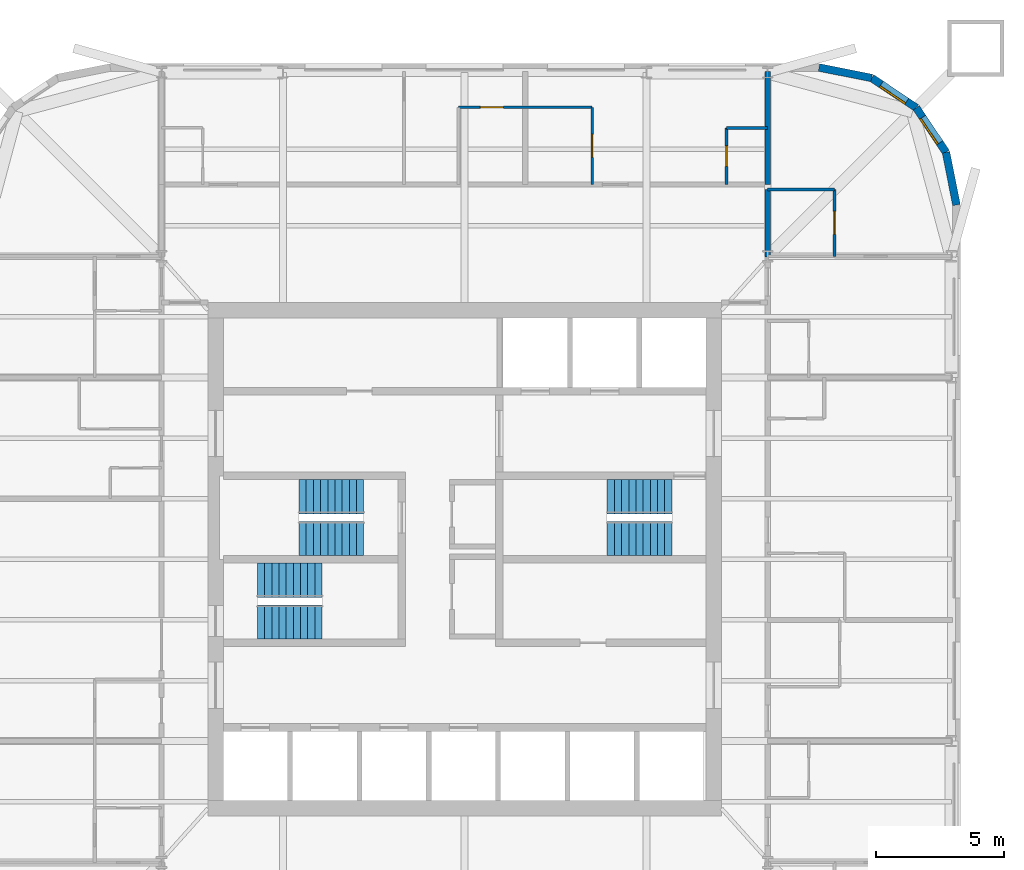
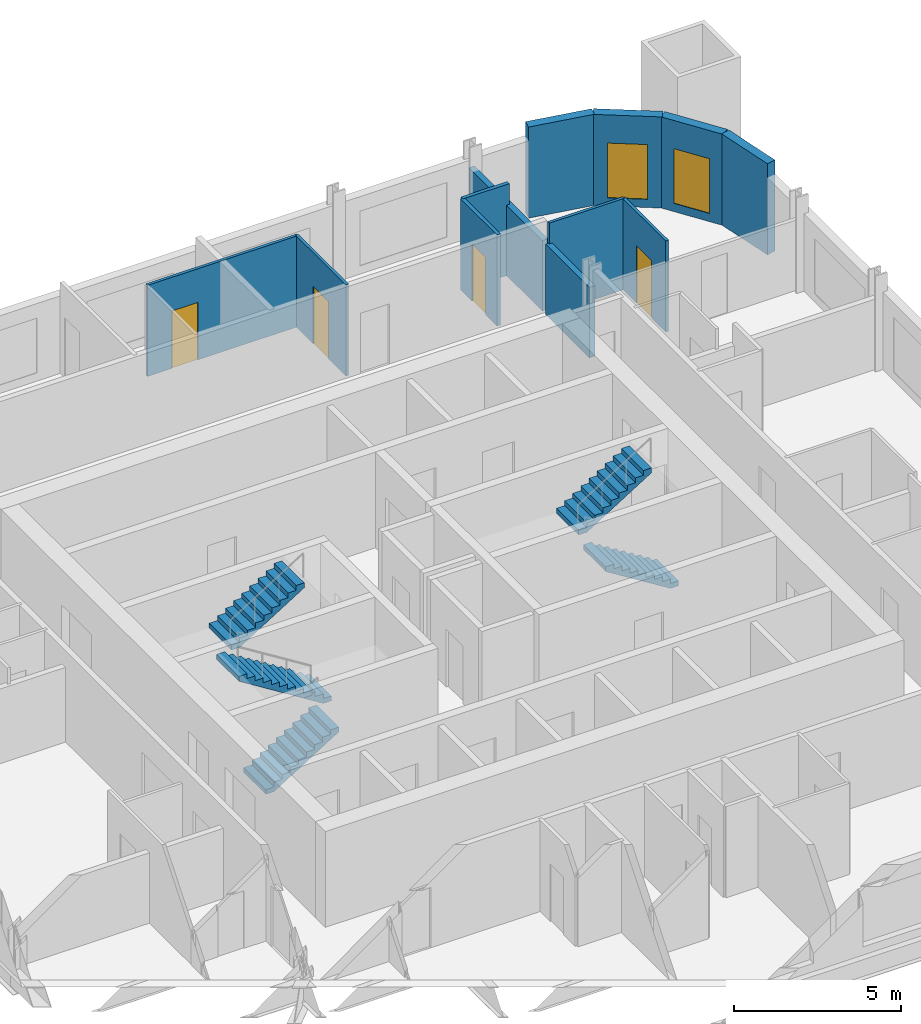
# One storey, part 7 of 8: 12 walls, 6 stair flights, 4 doors, 2 windows, 6 openings, 3 elements without a shape of their own.
"""IFC4 building model written with IfcOpenShell, lengths in metres."""

from ifc_helpers import new_model, si_unit, direction, frame, frame_2d, origin, place, context, subcontext, project, spatial, polyline, rectangle, outline, extrude, material, layer, layer_set, type_object, element, fill, aggregate, save


model = new_model("IFC4")

# Units and contexts
model_context = context("Model", 3, precision=1e-05, world=origin(), true_north=direction((0.0, 1.0)))
body_context = subcontext(model_context, "Body", "Model", "MODEL_VIEW")
ifc_project = project(units=[si_unit("LENGTHUNIT", "METRE"), si_unit("AREAUNIT", "SQUARE_METRE"), si_unit("VOLUMEUNIT", "CUBIC_METRE"), si_unit("PLANEANGLEUNIT", "RADIAN"), si_unit("MASSUNIT", "GRAM", prefix="KILO")], contexts=[model_context])

# Site, building, storey
site_placement = place(None, origin())
site = spatial("IfcSite", under=ifc_project, at=site_placement, CompositionType="ELEMENT")
building_placement = place(site_placement, origin())
building = spatial("IfcBuilding", under=site, at=building_placement, Name="Turquesa Mirador Hotel Tower", CompositionType="ELEMENT")
storey_placement = place(building_placement, frame((0.0, 0.0, 168.800048828125)))
storey = spatial("IfcBuildingStorey", under=building, at=storey_placement, Name="L45", CompositionType="ELEMENT", Elevation=168.800048828125)

# Wall
ifc_material_1 = material(Name="Gypsum board on steel studs", Category="steel")
ifc_layer_1 = layer(ifc_material_1, 0.10009765625)
ifc_layer_set_1 = layer_set([ifc_layer_1], Name="BATHROOM WALL 100")
wall_type_1 = type_object("IfcWallType", Name="BATHROOM WALL 100", PredefinedType="PARTITIONING", material=ifc_layer_set_1)
wall_1_placement = place(storey_placement, frame((66.800048828125, 59.39990234375, 0.0), z_axis=(0.0, 0.0, 1.0), x_axis=(1.0, 0.0, 0.0)))
element("IfcWall", 1, at=wall_1_placement, inside=storey, type_object=wall_type_1, Name="Partition L45 026", PredefinedType="PARTITIONING", context=body_context, shape_type="SweptSolid", body=[
    extrude(rectangle(XDim=2.599853515625, YDim=0.10009765625, at=frame_2d((1.2998046875, 0.0))), origin(), (0.0, 0.0, 1.0), 3.329833984375),
])

# Wall, opening, door
wall_2_placement = place(storey_placement, frame((54.760009765625, 62.60009765625, 0.0), z_axis=(0.0, 0.0, 1.0), x_axis=(1.0, 0.0, 0.0)))
wall_2 = element("IfcWall", 2, at=wall_2_placement, inside=storey, type_object=wall_type_1, Name="Partition L45 030", PredefinedType="PARTITIONING", context=body_context, shape_type="SweptSolid", body=[
    extrude(rectangle(XDim=5.199951171875, YDim=0.10009765625, at=frame_2d((2.60009765625, 0.0))), origin(), (0.0, 0.0, 1.0), 3.329833984375),
])
opening_1_placement = place(wall_2_placement, frame((0.85009765625, 0.0, 0.0)))
opening_1 = element("IfcOpeningElement", 3, at=opening_1_placement, cuts=wall_2, Name="Opening D02", PredefinedType="OPENING", context=body_context, shape_type="SweptSolid", body=[
    extrude(rectangle(XDim=0.89990234375, YDim=2.10009765625, at=frame_2d((0.449951171875, 1.050048828125))), frame((0.0, 0.06005859375, 0.0), z_axis=(0.0, -1.0, 0.0), x_axis=(1.0, 0.0, 0.0)), (0.0, 0.0, 1.0), 0.1201171875),
])
ifc_material_2 = material(Name="Timber veneered door", Category="wood")
door_type_1 = type_object("IfcDoorType", Name="DOOR 900X2100 EN-SUITE", OperationType="SINGLE_SWING_RIGHT", PredefinedType="DOOR", material=ifc_material_2)
door_1_placement = place(opening_1_placement, origin())
door_1 = element("IfcDoor", 4, at=door_1_placement, inside=storey, type_object=door_type_1, Name="Door 4501B", OperationType="SINGLE_SWING_RIGHT", OverallHeight=2.10009765625, OverallWidth=0.89990234375, PredefinedType="DOOR", context=body_context, shape_type="SweptSolid", body=[
    extrude(rectangle(XDim=0.89990234375, YDim=2.10009765625, at=frame_2d((0.449951171875, 1.050048828125))), frame((0.0, 0.02490234375, 0.0), z_axis=(0.0, -1.0, 0.0), x_axis=(1.0, 0.0, 0.0)), (0.0, 0.0, 1.0), 0.050048828125),
])
fill(opening_1, door_1)

wall_3_placement = place(storey_placement, frame((69.39990234375, 56.800048828125, 0.0), z_axis=(0.0, 0.0, 1.0), x_axis=(0.0, 1.0, 0.0)))
wall_3 = element("IfcWall", 5, at=wall_3_placement, inside=storey, type_object=wall_type_1, Name="Partition L45 066", PredefinedType="PARTITIONING", context=body_context, shape_type="SweptSolid", body=[
    extrude(rectangle(XDim=2.599853515625, YDim=0.10009765625, at=frame_2d((1.2998046875, 0.0))), origin(), (0.0, 0.0, 1.0), 3.329833984375),
])
opening_2_placement = place(wall_3_placement, frame((0.85009765625, 0.0, 0.0)))
opening_2 = element("IfcOpeningElement", 6, at=opening_2_placement, cuts=wall_3, Name="Opening D02", PredefinedType="OPENING", context=body_context, shape_type="SweptSolid", body=[
    extrude(rectangle(XDim=0.89990234375, YDim=2.10009765625, at=frame_2d((0.449951171875, 1.050048828125))), frame((0.0, 0.06005859375, 0.0), z_axis=(0.0, -1.0, 0.0), x_axis=(1.0, 0.0, 0.0)), (0.0, 0.0, 1.0), 0.1201171875),
])
door_2_placement = place(opening_2_placement, origin())
door_2 = element("IfcDoor", 7, at=door_2_placement, inside=storey, type_object=door_type_1, Name="Door 4509B", OperationType="SINGLE_SWING_RIGHT", OverallHeight=2.10009765625, OverallWidth=0.89990234375, PredefinedType="DOOR", context=body_context, shape_type="SweptSolid", body=[
    extrude(rectangle(XDim=0.89990234375, YDim=2.10009765625, at=frame_2d((0.449951171875, 1.050048828125))), frame((0.0, 0.02490234375, 0.0), z_axis=(0.0, -1.0, 0.0), x_axis=(1.0, 0.0, 0.0)), (0.0, 0.0, 1.0), 0.050048828125),
])
fill(opening_2, door_2)

wall_4_placement = place(storey_placement, frame((59.9599609375, 59.60009765625, 0.0), z_axis=(0.0, 0.0, 1.0), x_axis=(0.0, 1.0, 0.0)))
wall_4 = element("IfcWall", 8, at=wall_4_placement, inside=storey, type_object=wall_type_1, Name="Partition L45 072", PredefinedType="PARTITIONING", context=body_context, shape_type="SweptSolid", body=[
    extrude(rectangle(XDim=3.0, YDim=0.10009765625, at=frame_2d((1.5, 0.0))), origin(), (0.0, 0.0, 1.0), 3.329833984375),
])
opening_3_placement = place(wall_4_placement, frame((1.050048828125, 0.0, 0.0)))
opening_3 = element("IfcOpeningElement", 9, at=opening_3_placement, cuts=wall_4, Name="Opening D02", PredefinedType="OPENING", context=body_context, shape_type="SweptSolid", body=[
    extrude(rectangle(XDim=0.89990234375, YDim=2.10009765625, at=frame_2d((0.449951171875, 1.050048828125))), frame((0.0, 0.06005859375, 0.0), z_axis=(0.0, -1.0, 0.0), x_axis=(1.0, 0.0, 0.0)), (0.0, 0.0, 1.0), 0.1201171875),
])
door_3_placement = place(opening_3_placement, origin())
door_3 = element("IfcDoor", 10, at=door_3_placement, inside=storey, type_object=door_type_1, Name="Door 4502B", OperationType="SINGLE_SWING_RIGHT", OverallHeight=2.10009765625, OverallWidth=0.89990234375, PredefinedType="DOOR", context=body_context, shape_type="SweptSolid", body=[
    extrude(rectangle(XDim=0.89990234375, YDim=2.10009765625, at=frame_2d((0.449951171875, 1.050048828125))), frame((0.0, 0.02490234375, 0.0), z_axis=(0.0, -1.0, 0.0), x_axis=(1.0, 0.0, 0.0)), (0.0, 0.0, 1.0), 0.050048828125),
])
fill(opening_3, door_3)

# Walls
ifc_material_3 = material(Name="Fire-rated gypsum board on steel studs", Category="steel")
ifc_layer_2 = layer(ifc_material_3, 0.199951171875)
ifc_layer_set_2 = layer_set([ifc_layer_2], Name="CORRIDOR WALL 200")
wall_type_2 = type_object("IfcWallType", Name="CORRIDOR WALL 200", PredefinedType="PARTITIONING", material=ifc_layer_set_2)
wall_5_placement = place(storey_placement, frame((66.800048828125, 56.780029296875, 0.0), z_axis=(0.0, 0.0, 1.0), x_axis=(0.0, 1.0, 0.0)))
element("IfcWall", 11, at=wall_5_placement, inside=storey, type_object=wall_type_2, Name="Partition L45 076", PredefinedType="PARTITIONING", context=body_context, shape_type="SweptSolid", body=[
    extrude(rectangle(XDim=2.619873046875, YDim=0.199951171875, at=frame_2d((1.31005859375, 0.0))), origin(), (0.0, 0.0, 1.0), 2.572998046875),
])
ifc_material_4 = material(Name="Limestone cladding on concrete block", Category="masonry")
ifc_layer_3 = layer(ifc_material_4, 0.300048828125)
ifc_layer_set_3 = layer_set([ifc_layer_3], Name="FACADE WALL 300 STONE SCREEN")
wall_type_3 = type_object("IfcWallType", Name="FACADE WALL 300 STONE SCREEN", PredefinedType="SOLIDWALL", material=ifc_layer_set_3)
wall_6_placement = place(storey_placement, frame((74.14990234375, 58.800048828125, 0.0), z_axis=(0.0, 0.0, 1.0), x_axis=(-0.195081421501, 0.980787050784, 0.0)))
element("IfcWall", 12, at=wall_6_placement, inside=storey, type_object=wall_type_3, Name="Facade wall L45 05", PredefinedType="SOLIDWALL", context=body_context, shape_type="SweptSolid", body=[
    extrude(rectangle(XDim=2.08740234375, YDim=0.300048828125, at=frame_2d((1.043701171875, 0.0))), origin(), (0.0, 0.0, 1.0), 3.329833984375),
])

# Wall, opening, window
wall_7_placement = place(storey_placement, frame((73.74267578125, 60.847412109375, 0.0), z_axis=(0.0, 0.0, 1.0), x_axis=(-0.555563607591, 0.831474039234, 0.0)))
wall_7 = element("IfcWall", 13, at=wall_7_placement, inside=storey, type_object=wall_type_3, Name="Facade wall L45 06", PredefinedType="SOLIDWALL", context=body_context, shape_type="SweptSolid", body=[
    extrude(rectangle(XDim=2.08740234375, YDim=0.300048828125, at=frame_2d((1.043701171875, 0.0))), origin(), (0.0, 0.0, 1.0), 3.329833984375),
])
opening_4_placement = place(wall_7_placement, frame((0.443603515625, 0.0, 0.300048828125)))
opening_4 = element("IfcOpeningElement", 14, at=opening_4_placement, cuts=wall_7, Name="Opening WN4", PredefinedType="OPENING", context=body_context, shape_type="SweptSolid", body=[
    extrude(rectangle(XDim=1.199951171875, YDim=2.0, at=frame_2d((0.60009765625, 1.0))), frame((0.0, 0.159912109375, 0.0), z_axis=(0.0, -1.0, 0.0), x_axis=(1.0, 0.0, 0.0)), (0.0, 0.0, 1.0), 0.320068359375),
])
ifc_material_5 = material(Name="Ceramic-fritted laminated glass", Category="glass")
window_type = type_object("IfcWindowType", Name="FRITTED CORNER WINDOW 1200X2000", PartitioningType="DOUBLE_PANEL_HORIZONTAL", PredefinedType="WINDOW", material=ifc_material_5)
window_1_placement = place(opening_4_placement, origin())
window_1 = element("IfcWindow", 15, at=window_1_placement, inside=storey, type_object=window_type, Name="Window L45", OverallHeight=2.0, OverallWidth=1.199951171875, PartitioningType="SINGLE_PANEL", PredefinedType="WINDOW", context=body_context, shape_type="SweptSolid", body=[
    extrude(rectangle(XDim=1.199951171875, YDim=2.0, at=frame_2d((0.60009765625, 1.0))), frame((0.0, 0.130126953125, 0.0), z_axis=(0.0, -1.0, 0.0), x_axis=(1.0, 0.0, 0.0)), (0.0, 0.0, 1.0), 0.06005859375),
])
fill(opening_4, window_1)

wall_8_placement = place(storey_placement, frame((72.5830078125, 62.5830078125, 0.0), z_axis=(0.0, 0.0, 1.0), x_axis=(-0.831474039234, 0.555563607591, 0.0)))
wall_8 = element("IfcWall", 16, at=wall_8_placement, inside=storey, type_object=wall_type_3, Name="Facade wall L45 07", PredefinedType="SOLIDWALL", context=body_context, shape_type="SweptSolid", body=[
    extrude(rectangle(XDim=2.08740234375, YDim=0.300048828125, at=frame_2d((1.043701171875, 0.0))), origin(), (0.0, 0.0, 1.0), 3.329833984375),
])
opening_5_placement = place(wall_8_placement, frame((0.443603515625, 0.0, 0.300048828125)))
opening_5 = element("IfcOpeningElement", 17, at=opening_5_placement, cuts=wall_8, Name="Opening WN4", PredefinedType="OPENING", context=body_context, shape_type="SweptSolid", body=[
    extrude(rectangle(XDim=1.199951171875, YDim=2.0, at=frame_2d((0.60009765625, 1.0))), frame((0.0, 0.159912109375, 0.0), z_axis=(0.0, -1.0, 0.0), x_axis=(1.0, 0.0, 0.0)), (0.0, 0.0, 1.0), 0.320068359375),
])
window_2_placement = place(opening_5_placement, origin())
window_2 = element("IfcWindow", 18, at=window_2_placement, inside=storey, type_object=window_type, Name="Window L45", OverallHeight=2.0, OverallWidth=1.199951171875, PartitioningType="SINGLE_PANEL", PredefinedType="WINDOW", context=body_context, shape_type="SweptSolid", body=[
    extrude(rectangle(XDim=1.199951171875, YDim=2.0, at=frame_2d((0.60009765625, 1.0))), frame((0.0, 0.130126953125, 0.0), z_axis=(0.0, -1.0, 0.0), x_axis=(1.0, 0.0, 0.0)), (0.0, 0.0, 1.0), 0.06005859375),
])
fill(opening_5, window_2)

# Walls
wall_9_placement = place(storey_placement, frame((70.847412109375, 63.74267578125, 0.0), z_axis=(0.0, 0.0, 1.0), x_axis=(-0.980787050784, 0.195081421501, 0.0)))
element("IfcWall", 19, at=wall_9_placement, inside=storey, type_object=wall_type_3, Name="Facade wall L45 08", PredefinedType="SOLIDWALL", context=body_context, shape_type="SweptSolid", body=[
    extrude(rectangle(XDim=2.08740234375, YDim=0.300048828125, at=frame_2d((1.043701171875, 0.0))), origin(), (0.0, 0.0, 1.0), 3.329833984375),
])
ifc_material_6 = material(Name="Fire-rated gypsum board on steel studs", Category="steel")
ifc_layer_4 = layer(ifc_material_6, 0.199951171875)
ifc_layer_set_4 = layer_set([ifc_layer_4], Name="PARTY WALL 200")
wall_type_4 = type_object("IfcWallType", Name="PARTY WALL 200", PredefinedType="PARTITIONING", material=ifc_layer_set_4)
wall_10_placement = place(storey_placement, frame((66.800048828125, 59.60009765625, 0.0), z_axis=(0.0, 0.0, 1.0), x_axis=(0.0, 1.0, 0.0)))
element("IfcWall", 20, at=wall_10_placement, inside=storey, type_object=wall_type_4, Name="Partition L45 061", PredefinedType="PARTITIONING", context=body_context, shape_type="SweptSolid", body=[
    extrude(rectangle(XDim=4.39990234375, YDim=0.199951171875, at=frame_2d((2.199951171875, 0.0))), origin(), (0.0, 0.0, 1.0), 2.572998046875),
])
ifc_material_7 = material(Name="Acoustic gypsum board on steel studs", Category="steel")
ifc_layer_5 = layer(ifc_material_7, 0.125)
ifc_layer_set_5 = layer_set([ifc_layer_5], Name="SUITE PARTITION 125")
wall_type_5 = type_object("IfcWallType", Name="SUITE PARTITION 125", PredefinedType="PARTITIONING", material=ifc_layer_set_5)
wall_11_placement = place(storey_placement, frame((65.199951171875, 61.800048828125, 0.0), z_axis=(0.0, 0.0, 1.0), x_axis=(1.0, 0.0, 0.0)))
element("IfcWall", 21, at=wall_11_placement, inside=storey, type_object=wall_type_5, Name="Partition L45 029", PredefinedType="PARTITIONING", context=body_context, shape_type="SweptSolid", body=[
    extrude(rectangle(XDim=1.60009765625, YDim=0.125, at=frame_2d((0.800048828125, 0.0))), origin(), (0.0, 0.0, 1.0), 3.329833984375),
])

# Wall, opening, door
wall_12_placement = place(storey_placement, frame((65.199951171875, 59.60009765625, 0.0), z_axis=(0.0, 0.0, 1.0), x_axis=(0.0, 1.0, 0.0)))
wall_12 = element("IfcWall", 22, at=wall_12_placement, inside=storey, type_object=wall_type_5, Name="Partition L45 057", PredefinedType="PARTITIONING", context=body_context, shape_type="SweptSolid", body=[
    extrude(rectangle(XDim=2.199951171875, YDim=0.125, at=frame_2d((1.10009765625, 0.0))), origin(), (0.0, 0.0, 1.0), 3.329833984375),
])
opening_6_placement = place(wall_12_placement, frame((0.699951171875, 0.0, 0.0)))
opening_6 = element("IfcOpeningElement", 23, at=opening_6_placement, cuts=wall_12, Name="Opening D20", PredefinedType="OPENING", context=body_context, shape_type="SweptSolid", body=[
    extrude(rectangle(XDim=0.800048828125, YDim=2.10009765625, at=frame_2d((0.39990234375, 1.050048828125))), frame((0.0, 0.072509765625, 0.0), z_axis=(0.0, -1.0, 0.0), x_axis=(1.0, 0.0, 0.0)), (0.0, 0.0, 1.0), 0.14501953125),
])
ifc_material_8 = material(Name="Timber veneered sliding door", Category="wood")
door_type_2 = type_object("IfcDoorType", Name="DOOR 800X2100 WARDROBE", OperationType="SLIDING_TO_LEFT", PredefinedType="DOOR", material=ifc_material_8)
door_4_placement = place(opening_6_placement, origin())
door_4 = element("IfcDoor", 24, at=door_4_placement, inside=storey, type_object=door_type_2, Name="Door 4502W", OperationType="SLIDING_TO_LEFT", OverallHeight=2.10009765625, OverallWidth=0.800048828125, PredefinedType="DOOR", context=body_context, shape_type="SweptSolid", body=[
    extrude(rectangle(XDim=0.800048828125, YDim=2.10009765625, at=frame_2d((0.39990234375, 1.050048828125))), frame((0.0, 0.02490234375, 0.0), z_axis=(0.0, -1.0, 0.0), x_axis=(1.0, 0.0, 0.0)), (0.0, 0.0, 1.0), 0.050048828125),
])
fill(opening_6, door_4)

# Stair, stair flights
ifc_material_9 = material(Name="Concrete C35/45", Category="concrete")
stair_type = type_object("IfcStairType", Name="ESCAPE STAIR CORE", PredefinedType="HALF_TURN_STAIR", material=ifc_material_9)
stair_1_placement = place(storey_placement, origin())
stair_1 = element("IfcStair", 25, at=stair_1_placement, inside=storey, type_object=stair_type, Name="Stair ST1 L45 to L46", PredefinedType="HALF_TURN_STAIR")
ifc_material_10 = material(Name="Concrete C35/45 precast flight", Category="concrete")
stair_flight_type = type_object("IfcStairFlightType", Name="STAIR FLIGHT 1330", PredefinedType="STRAIGHT", material=ifc_material_10)
stair_flight_1_placement = place(storey_placement, frame((51.070068359375, 45.81494140625, 0.0), z_axis=(0.0, 0.0, 1.0), x_axis=(-1.0, 0.0, 0.0)))
stair_flight_1 = element("IfcStairFlight", 26, at=stair_flight_1_placement, type_object=stair_flight_type, Name="ST1 flight 1", NumberOfRisers=10, NumberOfTreads=9, PredefinedType="STRAIGHT", RiserHeight=0.175, TreadLength=0.28, context=body_context, shape_type="SweptSolid", body=[
    extrude(outline(polyline([(0.0, 0.0), (0.0, 0.175048828125), (0.280029296875, 0.175048828125), (0.280029296875, 0.35009765625), (0.56005859375, 0.35009765625), (0.56005859375, 0.52490234375), (0.840087890625, 0.52490234375), (0.840087890625, 0.699951171875), (1.1201171875, 0.699951171875), (1.1201171875, 0.875), (1.39990234375, 0.875), (1.39990234375, 1.050048828125), (1.679931640625, 1.050048828125), (1.679931640625, 1.22509765625), (1.9599609375, 1.22509765625), (1.9599609375, 1.39990234375), (2.239990234375, 1.39990234375), (2.239990234375, 1.574951171875), (2.52001953125, 1.574951171875), (2.52001953125, 1.75), (2.52001953125, 1.398193359375), (0.28271484375, 0.0), (0.0, 0.0)])), frame((0.0, 0.6650390625, 0.0), z_axis=(0.0, -1.0, 0.0), x_axis=(1.0, 0.0, 0.0)), (0.0, 0.0, 1.0), 1.330078125),
])
stair_flight_2_placement = place(storey_placement, frame((48.550048828125, 47.43505859375, 1.75), z_axis=(0.0, 0.0, 1.0), x_axis=(1.0, 0.0, 0.0)))
stair_flight_2 = element("IfcStairFlight", 27, at=stair_flight_2_placement, type_object=stair_flight_type, Name="ST1 flight 2", NumberOfRisers=10, NumberOfTreads=9, PredefinedType="STRAIGHT", RiserHeight=0.175, TreadLength=0.28, context=body_context, shape_type="SweptSolid", body=[
    extrude(outline(polyline([(0.0, 0.0), (0.0, 0.175048828125), (0.280029296875, 0.175048828125), (0.280029296875, 0.35009765625), (0.56005859375, 0.35009765625), (0.56005859375, 0.52490234375), (0.840087890625, 0.52490234375), (0.840087890625, 0.699951171875), (1.1201171875, 0.699951171875), (1.1201171875, 0.875), (1.39990234375, 0.875), (1.39990234375, 1.050048828125), (1.679931640625, 1.050048828125), (1.679931640625, 1.22509765625), (1.9599609375, 1.22509765625), (1.9599609375, 1.39990234375), (2.239990234375, 1.39990234375), (2.239990234375, 1.574951171875), (2.52001953125, 1.574951171875), (2.52001953125, 1.75), (2.52001953125, 1.398193359375), (0.28271484375, 0.0), (0.0, 0.0)])), frame((0.0, 0.6650390625, 0.0), z_axis=(0.0, -1.0, 0.0), x_axis=(1.0, 0.0, 0.0)), (0.0, 0.0, 1.0), 1.330078125),
])
aggregate(stair_1, [stair_flight_1, stair_flight_2])

stair_2_placement = place(storey_placement, origin())
stair_2 = element("IfcStair", 28, at=stair_2_placement, inside=storey, type_object=stair_type, Name="Stair ST2 L45 to L46", PredefinedType="HALF_TURN_STAIR")
stair_flight_3_placement = place(storey_placement, frame((46.929931640625, 42.56494140625, 0.0), z_axis=(0.0, 0.0, 1.0), x_axis=(1.0, 0.0, 0.0)))
stair_flight_3 = element("IfcStairFlight", 29, at=stair_flight_3_placement, type_object=stair_flight_type, Name="ST2 flight 1", NumberOfRisers=10, NumberOfTreads=9, PredefinedType="STRAIGHT", RiserHeight=0.175, TreadLength=0.28, context=body_context, shape_type="SweptSolid", body=[
    extrude(outline(polyline([(0.0, 0.0), (0.0, 0.175048828125), (0.280029296875, 0.175048828125), (0.280029296875, 0.35009765625), (0.56005859375, 0.35009765625), (0.56005859375, 0.52490234375), (0.840087890625, 0.52490234375), (0.840087890625, 0.699951171875), (1.1201171875, 0.699951171875), (1.1201171875, 0.875), (1.39990234375, 0.875), (1.39990234375, 1.050048828125), (1.679931640625, 1.050048828125), (1.679931640625, 1.22509765625), (1.9599609375, 1.22509765625), (1.9599609375, 1.39990234375), (2.239990234375, 1.39990234375), (2.239990234375, 1.574951171875), (2.52001953125, 1.574951171875), (2.52001953125, 1.75), (2.52001953125, 1.398193359375), (0.28271484375, 0.0), (0.0, 0.0)])), frame((0.0, 0.6650390625, 0.0), z_axis=(0.0, -1.0, 0.0), x_axis=(1.0, 0.0, 0.0)), (0.0, 0.0, 1.0), 1.330078125),
])
stair_flight_4_placement = place(storey_placement, frame((49.449951171875, 44.18505859375, 1.75), z_axis=(0.0, 0.0, 1.0), x_axis=(-1.0, 0.0, 0.0)))
stair_flight_4 = element("IfcStairFlight", 30, at=stair_flight_4_placement, type_object=stair_flight_type, Name="ST2 flight 2", NumberOfRisers=10, NumberOfTreads=9, PredefinedType="STRAIGHT", RiserHeight=0.175, TreadLength=0.28, context=body_context, shape_type="SweptSolid", body=[
    extrude(outline(polyline([(0.0, 0.0), (0.0, 0.175048828125), (0.280029296875, 0.175048828125), (0.280029296875, 0.35009765625), (0.56005859375, 0.35009765625), (0.56005859375, 0.52490234375), (0.840087890625, 0.52490234375), (0.840087890625, 0.699951171875), (1.1201171875, 0.699951171875), (1.1201171875, 0.875), (1.39990234375, 0.875), (1.39990234375, 1.050048828125), (1.679931640625, 1.050048828125), (1.679931640625, 1.22509765625), (1.9599609375, 1.22509765625), (1.9599609375, 1.39990234375), (2.239990234375, 1.39990234375), (2.239990234375, 1.574951171875), (2.52001953125, 1.574951171875), (2.52001953125, 1.75), (2.52001953125, 1.398193359375), (0.28271484375, 0.0), (0.0, 0.0)])), frame((0.0, 0.6650390625, 0.0), z_axis=(0.0, -1.0, 0.0), x_axis=(1.0, 0.0, 0.0)), (0.0, 0.0, 1.0), 1.330078125),
])
aggregate(stair_2, [stair_flight_3, stair_flight_4])

stair_3_placement = place(storey_placement, origin())
stair_3 = element("IfcStair", 31, at=stair_3_placement, inside=storey, type_object=stair_type, Name="Stair ST3 L45 to L46", PredefinedType="HALF_TURN_STAIR")
stair_flight_5_placement = place(storey_placement, frame((63.070068359375, 45.81494140625, 0.0), z_axis=(0.0, 0.0, 1.0), x_axis=(-1.0, 0.0, 0.0)))
stair_flight_5 = element("IfcStairFlight", 32, at=stair_flight_5_placement, type_object=stair_flight_type, Name="ST3 flight 1", NumberOfRisers=10, NumberOfTreads=9, PredefinedType="STRAIGHT", RiserHeight=0.175, TreadLength=0.28, context=body_context, shape_type="SweptSolid", body=[
    extrude(outline(polyline([(0.0, 0.0), (0.0, 0.175048828125), (0.280029296875, 0.175048828125), (0.280029296875, 0.35009765625), (0.56005859375, 0.35009765625), (0.56005859375, 0.52490234375), (0.840087890625, 0.52490234375), (0.840087890625, 0.699951171875), (1.1201171875, 0.699951171875), (1.1201171875, 0.875), (1.39990234375, 0.875), (1.39990234375, 1.050048828125), (1.679931640625, 1.050048828125), (1.679931640625, 1.22509765625), (1.9599609375, 1.22509765625), (1.9599609375, 1.39990234375), (2.239990234375, 1.39990234375), (2.239990234375, 1.574951171875), (2.52001953125, 1.574951171875), (2.52001953125, 1.75), (2.52001953125, 1.398193359375), (0.28271484375, 0.0), (0.0, 0.0)])), frame((0.0, 0.6650390625, 0.0), z_axis=(0.0, -1.0, 0.0), x_axis=(1.0, 0.0, 0.0)), (0.0, 0.0, 1.0), 1.330078125),
])
stair_flight_6_placement = place(storey_placement, frame((60.550048828125, 47.43505859375, 1.75), z_axis=(0.0, 0.0, 1.0), x_axis=(1.0, 0.0, 0.0)))
stair_flight_6 = element("IfcStairFlight", 33, at=stair_flight_6_placement, type_object=stair_flight_type, Name="ST3 flight 2", NumberOfRisers=10, NumberOfTreads=9, PredefinedType="STRAIGHT", RiserHeight=0.175, TreadLength=0.28, context=body_context, shape_type="SweptSolid", body=[
    extrude(outline(polyline([(0.0, 0.0), (0.0, 0.175048828125), (0.280029296875, 0.175048828125), (0.280029296875, 0.35009765625), (0.56005859375, 0.35009765625), (0.56005859375, 0.52490234375), (0.840087890625, 0.52490234375), (0.840087890625, 0.699951171875), (1.1201171875, 0.699951171875), (1.1201171875, 0.875), (1.39990234375, 0.875), (1.39990234375, 1.050048828125), (1.679931640625, 1.050048828125), (1.679931640625, 1.22509765625), (1.9599609375, 1.22509765625), (1.9599609375, 1.39990234375), (2.239990234375, 1.39990234375), (2.239990234375, 1.574951171875), (2.52001953125, 1.574951171875), (2.52001953125, 1.75), (2.52001953125, 1.398193359375), (0.28271484375, 0.0), (0.0, 0.0)])), frame((0.0, 0.6650390625, 0.0), z_axis=(0.0, -1.0, 0.0), x_axis=(1.0, 0.0, 0.0)), (0.0, 0.0, 1.0), 1.330078125),
])
aggregate(stair_3, [stair_flight_5, stair_flight_6])

save(model, "model.ifc")
